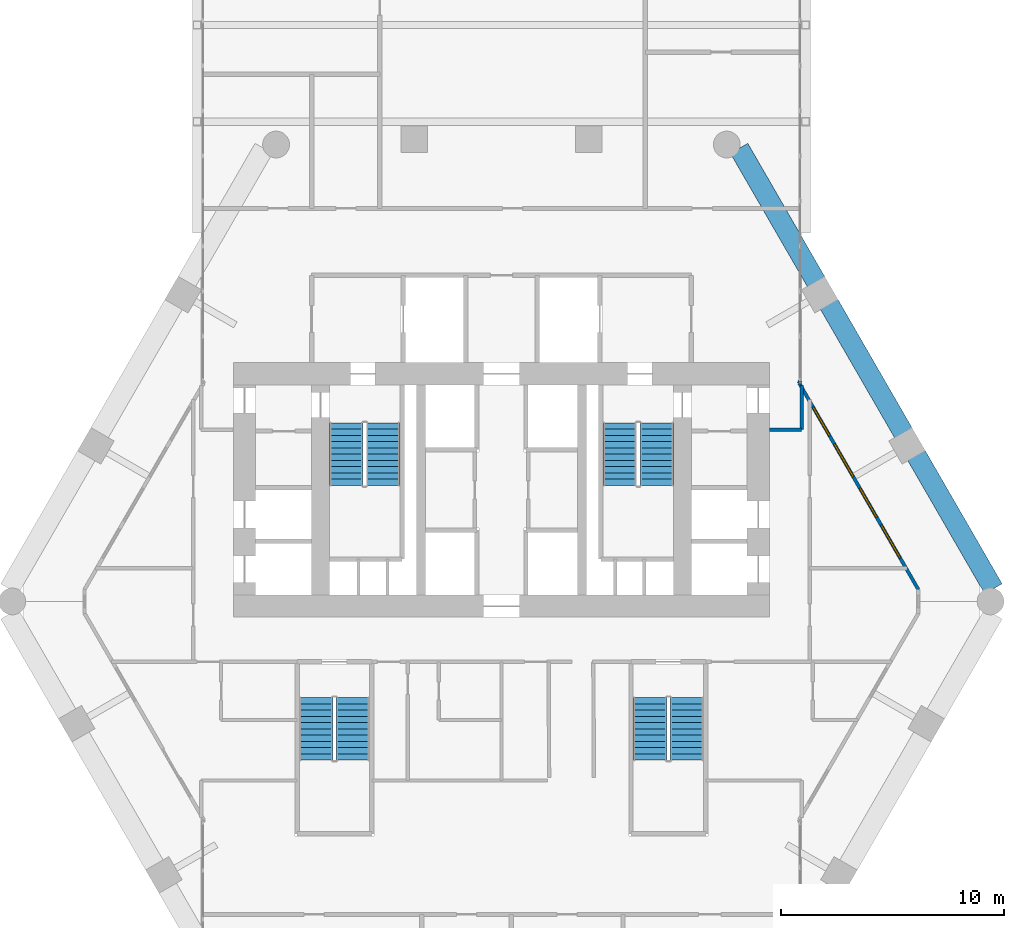
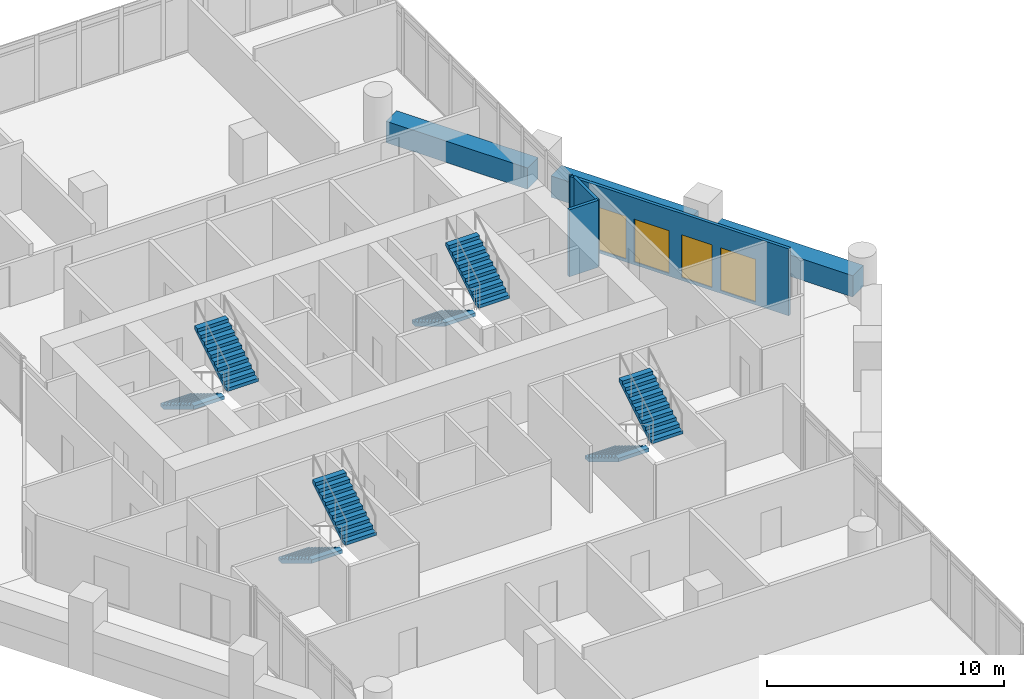
# One storey, part 34 of 37: 8 stair flights, 7 walls, 4 windows, 4 openings, 4 elements without a shape of their own.
"""IFC4 building model written with IfcOpenShell, lengths in metres."""

from ifc_helpers import new_model, si_unit, direction, frame, frame_2d, origin, place, context, subcontext, project, spatial, polyline, rectangle, outline, extrude, material, layer, layer_set, type_object, element, fill, aggregate, save


model = new_model("IFC4")

# Units and contexts
model_context = context("Model", 3, precision=1e-05, world=origin(), true_north=direction((0.0, 1.0)))
body_context = subcontext(model_context, "Body", "Model", "MODEL_VIEW")
ifc_project = project(units=[si_unit("LENGTHUNIT", "METRE"), si_unit("AREAUNIT", "SQUARE_METRE"), si_unit("VOLUMEUNIT", "CUBIC_METRE"), si_unit("PLANEANGLEUNIT", "RADIAN"), si_unit("MASSUNIT", "GRAM", prefix="KILO")], contexts=[model_context])

# Site, building, storey
site_placement = place(None, origin())
site = spatial("IfcSite", under=ifc_project, at=site_placement, CompositionType="ELEMENT")
building_placement = place(site_placement, origin())
building = spatial("IfcBuilding", under=site, at=building_placement, Name="Ostrander Bayou Hotel Tower", CompositionType="ELEMENT")
storey_placement = place(building_placement, frame((0.0, 0.0, 131.0)))
storey = spatial("IfcBuildingStorey", under=building, at=storey_placement, Name="L32", CompositionType="ELEMENT", Elevation=131.0)

# Wall, openings, windows
ifc_material_1 = material(Name="Aluminium framed insulated wall", Category="aluminium")
ifc_layer_1 = layer(ifc_material_1, 0.14990234375)
ifc_layer_set_1 = layer_set([ifc_layer_1], Name="GW1 glass-line wall 150 mm")
wall_type_1 = type_object("IfcWallType", Name="GW1 glass-line wall 150 mm", PredefinedType="SOLIDWALL", material=ifc_layer_set_1)
wall_1_placement = place(storey_placement, frame((18.66259765625, -0.460205078125, 0.0), z_axis=(0.0, 0.0, 1.0), x_axis=(-0.499997430087, 0.866026887519, 0.0)))
wall_1 = element("IfcWall", 1, at=wall_1_placement, inside=storey, type_object=wall_type_1, Name="GW1 L32 NE 1", PredefinedType="SOLIDWALL", context=body_context, shape_type="SweptSolid", body=[
    extrude(rectangle(XDim=10.6572265625, YDim=0.14990234375, at=frame_2d((5.32861328125, 0.0))), origin(), (0.0, 0.0, 1.0), 3.449951171875),
])
opening_1_placement = place(wall_1_placement, frame((1.6298828125, 0.0, 0.14990234375)))
opening_1 = element("IfcOpeningElement", 2, at=opening_1_placement, cuts=wall_1, Name="Opening W8", PredefinedType="OPENING", context=body_context, shape_type="SweptSolid", body=[
    extrude(rectangle(XDim=1.699951171875, YDim=2.199951171875, at=frame_2d((0.85009765625, 1.10009765625))), frame((0.0, 0.074951171875, 0.0), z_axis=(0.0, -1.0, 0.0), x_axis=(1.0, 0.0, 0.0)), (0.0, 0.0, 1.0), 0.14990234375),
])
opening_2_placement = place(wall_1_placement, frame((3.72998046875, 0.0, 0.14990234375)))
opening_2 = element("IfcOpeningElement", 3, at=opening_2_placement, cuts=wall_1, Name="Opening W12", PredefinedType="OPENING", context=body_context, shape_type="SweptSolid", body=[
    extrude(rectangle(XDim=1.5, YDim=2.199951171875, at=frame_2d((0.75, 1.10009765625))), frame((0.0, 0.074951171875, 0.0), z_axis=(0.0, -1.0, 0.0), x_axis=(1.0, 0.0, 0.0)), (0.0, 0.0, 1.0), 0.14990234375),
])
opening_3_placement = place(wall_1_placement, frame((5.830078125, 0.0, 0.14990234375)))
opening_3 = element("IfcOpeningElement", 4, at=opening_3_placement, cuts=wall_1, Name="Opening W8", PredefinedType="OPENING", context=body_context, shape_type="SweptSolid", body=[
    extrude(rectangle(XDim=1.699951171875, YDim=2.199951171875, at=frame_2d((0.85009765625, 1.10009765625))), frame((0.0, 0.074951171875, 0.0), z_axis=(0.0, -1.0, 0.0), x_axis=(1.0, 0.0, 0.0)), (0.0, 0.0, 1.0), 0.14990234375),
])
opening_4_placement = place(wall_1_placement, frame((7.929931640625, 0.0, 0.14990234375)))
opening_4 = element("IfcOpeningElement", 5, at=opening_4_placement, cuts=wall_1, Name="Opening W12", PredefinedType="OPENING", context=body_context, shape_type="SweptSolid", body=[
    extrude(rectangle(XDim=1.5, YDim=2.199951171875, at=frame_2d((0.75, 1.10009765625))), frame((0.0, 0.074951171875, 0.0), z_axis=(0.0, -1.0, 0.0), x_axis=(1.0, 0.0, 0.0)), (0.0, 0.0, 1.0), 0.14990234375),
])
ifc_material_2 = material(Name="Aluminium and clear glass", Category="aluminium")
window_type_1 = type_object("IfcWindowType", Name="W12 fixed window 1500 mm, bath bay, zone 2", PartitioningType="SINGLE_PANEL", PredefinedType="WINDOW", material=ifc_material_2)
window_1_placement = place(opening_2_placement, origin())
window_1 = element("IfcWindow", 6, at=window_1_placement, inside=storey, type_object=window_type_1, Name="W12 L32 NE 1", OverallHeight=2.199951171875, OverallWidth=1.5, PartitioningType="SINGLE_PANEL", PredefinedType="WINDOW", context=body_context, shape_type="SweptSolid", body=[
    extrude(rectangle(XDim=1.5, YDim=2.199951171875, at=frame_2d((0.75, 1.10009765625))), frame((0.0, 0.030029296875, 0.0), z_axis=(0.0, -1.0, 0.0), x_axis=(1.0, 0.0, 0.0)), (0.0, 0.0, 1.0), 0.06005859375),
])
fill(opening_2, window_1)
window_2_placement = place(opening_4_placement, origin())
window_2 = element("IfcWindow", 7, at=window_2_placement, inside=storey, type_object=window_type_1, Name="W12 L32 NE 2", OverallHeight=2.199951171875, OverallWidth=1.5, PartitioningType="SINGLE_PANEL", PredefinedType="WINDOW", context=body_context, shape_type="SweptSolid", body=[
    extrude(rectangle(XDim=1.5, YDim=2.199951171875, at=frame_2d((0.75, 1.10009765625))), frame((0.0, 0.030029296875, 0.0), z_axis=(0.0, -1.0, 0.0), x_axis=(1.0, 0.0, 0.0)), (0.0, 0.0, 1.0), 0.06005859375),
])
fill(opening_4, window_2)
ifc_material_3 = material(Name="Aluminium and clear glass", Category="aluminium")
window_type_2 = type_object("IfcWindowType", Name="W8 fixed window 1700 mm, bar storeys, zone 2", PartitioningType="SINGLE_PANEL", PredefinedType="WINDOW", material=ifc_material_3)
window_3_placement = place(opening_1_placement, origin())
window_3 = element("IfcWindow", 8, at=window_3_placement, inside=storey, type_object=window_type_2, Name="W8 L32 NE 1", OverallHeight=2.199951171875, OverallWidth=1.699951171875, PartitioningType="SINGLE_PANEL", PredefinedType="WINDOW", context=body_context, shape_type="SweptSolid", body=[
    extrude(rectangle(XDim=1.699951171875, YDim=2.199951171875, at=frame_2d((0.85009765625, 1.10009765625))), frame((0.0, 0.030029296875, 0.0), z_axis=(0.0, -1.0, 0.0), x_axis=(1.0, 0.0, 0.0)), (0.0, 0.0, 1.0), 0.06005859375),
])
fill(opening_1, window_3)
window_4_placement = place(opening_3_placement, origin())
window_4 = element("IfcWindow", 9, at=window_4_placement, inside=storey, type_object=window_type_2, Name="W8 L32 NE 2", OverallHeight=2.199951171875, OverallWidth=1.699951171875, PartitioningType="SINGLE_PANEL", PredefinedType="WINDOW", context=body_context, shape_type="SweptSolid", body=[
    extrude(rectangle(XDim=1.699951171875, YDim=2.199951171875, at=frame_2d((0.85009765625, 1.10009765625))), frame((0.0, 0.030029296875, 0.0), z_axis=(0.0, -1.0, 0.0), x_axis=(1.0, 0.0, 0.0)), (0.0, 0.0, 1.0), 0.06005859375),
])
fill(opening_3, window_4)

# Walls
wall_2_placement = place(storey_placement, frame((13.333984375, 8.769287109375, 0.0), z_axis=(0.0, 0.0, 1.0), x_axis=(0.337751931921, 0.941235163221, 0.0)))
element("IfcWall", 10, at=wall_2_placement, inside=storey, type_object=wall_type_1, Name="GW1 L32 bar joint 4", PredefinedType="SOLIDWALL", context=body_context, shape_type="SweptSolid", body=[
    extrude(rectangle(XDim=0.098388671875, YDim=0.14990234375, at=frame_2d((0.04931640625, 0.0))), origin(), (0.0, 0.0, 1.0), 3.449951171875),
])
ifc_material_4 = material(Name="Concrete f'c 40 MPa", Category="concrete")
ifc_layer_2 = layer(ifc_material_4, 0.89990234375)
ifc_layer_set_2 = layer_set([ifc_layer_2], Name="PA1 stone-faced parapet 900 mm")
wall_type_2 = type_object("IfcWallType", Name="PA1 stone-faced parapet 900 mm", PredefinedType="PARAPET", material=ifc_layer_set_2)
wall_3_placement = place(storey_placement, frame((22.022216796875, -0.42919921875, 0.0), z_axis=(0.0, 0.0, 1.0), x_axis=(-0.500017246033, 0.866015446554, 0.0)))
element("IfcWall", 11, at=wall_3_placement, inside=storey, type_object=wall_type_2, Name="PA1 L32 NE-1", PredefinedType="PARAPET", context=body_context, shape_type="SweptSolid", body=[
    extrude(rectangle(XDim=6.906005859375, YDim=0.89990234375, at=frame_2d((3.453125, 0.0))), origin(), (0.0, 0.0, 1.0), 1.10009765625),
])
wall_4_placement = place(storey_placement, frame((17.999267578125, 6.538818359375, 0.0), z_axis=(0.0, 0.0, 1.0), x_axis=(-0.50001062018, 0.866019272134, 0.0)))
element("IfcWall", 12, at=wall_4_placement, inside=storey, type_object=wall_type_2, Name="PA1 L32 NE-2", PredefinedType="PARAPET", context=body_context, shape_type="SweptSolid", body=[
    extrude(rectangle(XDim=6.673583984375, YDim=0.89990234375, at=frame_2d((3.3369140625, 0.0))), origin(), (0.0, 0.0, 1.0), 1.10009765625),
])
wall_5_placement = place(storey_placement, frame((14.09228515625, 13.3056640625, 0.0), z_axis=(0.0, 0.0, 1.0), x_axis=(-0.499990732016, 0.866030754592, 0.0)))
element("IfcWall", 13, at=wall_5_placement, inside=storey, type_object=wall_type_2, Name="PA1 L32 NE-3", PredefinedType="PARAPET", context=body_context, shape_type="SweptSolid", body=[
    extrude(rectangle(XDim=6.906005859375, YDim=0.89990234375, at=frame_2d((3.453125, 0.0))), origin(), (0.0, 0.0, 1.0), 1.10009765625),
])
ifc_material_5 = material(Name="Gypsum board partition", Category="finish")
ifc_layer_3 = layer(ifc_material_5, 0.14990234375)
ifc_layer_set_3 = layer_set([ifc_layer_3], Name="PT8 service band wall 150 mm, 1 hour")
wall_type_3 = type_object("IfcWallType", Name="PT8 service band wall 150 mm, 1 hour", PredefinedType="PARTITIONING", material=ifc_layer_set_3)
wall_6_placement = place(storey_placement, frame((12.010009765625, 6.695068359375, 0.0), z_axis=(0.0, 0.0, 1.0), x_axis=(1.0, 0.0, 0.0)))
element("IfcWall", 14, at=wall_6_placement, inside=storey, type_object=wall_type_3, Name="gw:L32:014", PredefinedType="PARTITIONING", context=body_context, shape_type="SweptSolid", body=[
    extrude(rectangle(XDim=1.429931640625, YDim=0.14990234375, at=frame_2d((0.71484375, 0.0))), origin(), (0.0, 0.0, 1.0), 3.449951171875),
])
wall_7_placement = place(storey_placement, frame((13.43994140625, 6.695068359375, 0.0), z_axis=(0.0, 0.0, 1.0), x_axis=(0.0, 1.0, 0.0)))
element("IfcWall", 15, at=wall_7_placement, inside=storey, type_object=wall_type_3, Name="gw:L32:018", PredefinedType="PARTITIONING", context=body_context, shape_type="SweptSolid", body=[
    extrude(rectangle(XDim=1.98095703125, YDim=0.14990234375, at=frame_2d((0.990478515625, 0.0))), origin(), (0.0, 0.0, 1.0), 3.449951171875),
])

# Stair, stair flights
ifc_material_6 = material(Name="Concrete f'c 45 MPa", Category="concrete")
stair_type = type_object("IfcStairType", Name="ST1 exit stair 1500 mm f'c 45 MPa", PredefinedType="HALF_TURN_STAIR", material=ifc_material_6)
stair_1_placement = place(storey_placement, origin())
stair_1 = element("IfcStair", 16, at=stair_1_placement, inside=storey, type_object=stair_type, Name="L32 exit stair A", PredefinedType="HALF_TURN_STAIR")
ifc_material_7 = material(Name="Concrete f'c 45 MPa", Category="concrete")
stair_flight_type = type_object("IfcStairFlightType", Name="SF1 stair flight 1500 mm f'c 45 MPa", PredefinedType="STRAIGHT", material=ifc_material_7)
stair_flight_1_placement = place(storey_placement, frame((-6.949951171875, 7.0, 0.0), z_axis=(0.0, 0.0, 1.0), x_axis=(0.0, -1.0, 0.0)))
stair_flight_1 = element("IfcStairFlight", 17, at=stair_flight_1_placement, type_object=stair_flight_type, Name="STA flight 1", NumberOfRisers=11, NumberOfTreads=10, PredefinedType="STRAIGHT", RiserHeight=0.170454545, TreadLength=0.28, context=body_context, shape_type="SweptSolid", body=[
    extrude(outline(polyline([(0.0, 0.0), (0.0, 0.17041015625), (0.280029296875, 0.17041015625), (0.280029296875, 0.3408203125), (0.56005859375, 0.3408203125), (0.56005859375, 0.511474609375), (0.840087890625, 0.511474609375), (0.840087890625, 0.681884765625), (1.1201171875, 0.681884765625), (1.1201171875, 0.852294921875), (1.39990234375, 0.852294921875), (1.39990234375, 1.022705078125), (1.679931640625, 1.022705078125), (1.679931640625, 1.193115234375), (1.9599609375, 1.193115234375), (1.9599609375, 1.363525390625), (2.239990234375, 1.363525390625), (2.239990234375, 1.5341796875), (2.52001953125, 1.5341796875), (2.52001953125, 1.70458984375), (2.800048828125, 1.70458984375), (2.800048828125, 1.875), (2.800048828125, 1.529052734375), (0.288330078125, 0.0), (0.0, 0.0)])), frame((0.0, 0.75, 0.0), z_axis=(0.0, -1.0, 0.0), x_axis=(1.0, 0.0, 0.0)), (0.0, 0.0, 1.0), 1.5),
])
stair_flight_2_placement = place(storey_placement, frame((-5.300048828125, 4.199951171875, 1.875), z_axis=(0.0, 0.0, 1.0), x_axis=(0.0, 1.0, 0.0)))
stair_flight_2 = element("IfcStairFlight", 18, at=stair_flight_2_placement, type_object=stair_flight_type, Name="STA flight 2", NumberOfRisers=11, NumberOfTreads=10, PredefinedType="STRAIGHT", RiserHeight=0.170454545, TreadLength=0.28, context=body_context, shape_type="SweptSolid", body=[
    extrude(outline(polyline([(0.0, 0.0), (0.0, 0.17041015625), (0.280029296875, 0.17041015625), (0.280029296875, 0.3408203125), (0.56005859375, 0.3408203125), (0.56005859375, 0.511474609375), (0.840087890625, 0.511474609375), (0.840087890625, 0.681884765625), (1.1201171875, 0.681884765625), (1.1201171875, 0.852294921875), (1.39990234375, 0.852294921875), (1.39990234375, 1.022705078125), (1.679931640625, 1.022705078125), (1.679931640625, 1.193115234375), (1.9599609375, 1.193115234375), (1.9599609375, 1.363525390625), (2.239990234375, 1.363525390625), (2.239990234375, 1.5341796875), (2.52001953125, 1.5341796875), (2.52001953125, 1.70458984375), (2.800048828125, 1.70458984375), (2.800048828125, 1.875), (2.800048828125, 1.529052734375), (0.288330078125, 0.0), (0.0, 0.0)])), frame((0.0, 0.75, 0.0), z_axis=(0.0, -1.0, 0.0), x_axis=(1.0, 0.0, 0.0)), (0.0, 0.0, 1.0), 1.5),
])
aggregate(stair_1, [stair_flight_1, stair_flight_2])

stair_2_placement = place(storey_placement, origin())
stair_2 = element("IfcStair", 19, at=stair_2_placement, inside=storey, type_object=stair_type, Name="L32 exit stair B", PredefinedType="HALF_TURN_STAIR")
stair_flight_3_placement = place(storey_placement, frame((5.300048828125, 7.0, 0.0), z_axis=(0.0, 0.0, 1.0), x_axis=(0.0, -1.0, 0.0)))
stair_flight_3 = element("IfcStairFlight", 20, at=stair_flight_3_placement, type_object=stair_flight_type, Name="STB flight 1", NumberOfRisers=11, NumberOfTreads=10, PredefinedType="STRAIGHT", RiserHeight=0.170454545, TreadLength=0.28, context=body_context, shape_type="SweptSolid", body=[
    extrude(outline(polyline([(0.0, 0.0), (0.0, 0.17041015625), (0.280029296875, 0.17041015625), (0.280029296875, 0.3408203125), (0.56005859375, 0.3408203125), (0.56005859375, 0.511474609375), (0.840087890625, 0.511474609375), (0.840087890625, 0.681884765625), (1.1201171875, 0.681884765625), (1.1201171875, 0.852294921875), (1.39990234375, 0.852294921875), (1.39990234375, 1.022705078125), (1.679931640625, 1.022705078125), (1.679931640625, 1.193115234375), (1.9599609375, 1.193115234375), (1.9599609375, 1.363525390625), (2.239990234375, 1.363525390625), (2.239990234375, 1.5341796875), (2.52001953125, 1.5341796875), (2.52001953125, 1.70458984375), (2.800048828125, 1.70458984375), (2.800048828125, 1.875), (2.800048828125, 1.529052734375), (0.288330078125, 0.0), (0.0, 0.0)])), frame((0.0, 0.75, 0.0), z_axis=(0.0, -1.0, 0.0), x_axis=(1.0, 0.0, 0.0)), (0.0, 0.0, 1.0), 1.5),
])
stair_flight_4_placement = place(storey_placement, frame((6.949951171875, 4.199951171875, 1.875), z_axis=(0.0, 0.0, 1.0), x_axis=(0.0, 1.0, 0.0)))
stair_flight_4 = element("IfcStairFlight", 21, at=stair_flight_4_placement, type_object=stair_flight_type, Name="STB flight 2", NumberOfRisers=11, NumberOfTreads=10, PredefinedType="STRAIGHT", RiserHeight=0.170454545, TreadLength=0.28, context=body_context, shape_type="SweptSolid", body=[
    extrude(outline(polyline([(0.0, 0.0), (0.0, 0.17041015625), (0.280029296875, 0.17041015625), (0.280029296875, 0.3408203125), (0.56005859375, 0.3408203125), (0.56005859375, 0.511474609375), (0.840087890625, 0.511474609375), (0.840087890625, 0.681884765625), (1.1201171875, 0.681884765625), (1.1201171875, 0.852294921875), (1.39990234375, 0.852294921875), (1.39990234375, 1.022705078125), (1.679931640625, 1.022705078125), (1.679931640625, 1.193115234375), (1.9599609375, 1.193115234375), (1.9599609375, 1.363525390625), (2.239990234375, 1.363525390625), (2.239990234375, 1.5341796875), (2.52001953125, 1.5341796875), (2.52001953125, 1.70458984375), (2.800048828125, 1.70458984375), (2.800048828125, 1.875), (2.800048828125, 1.529052734375), (0.288330078125, 0.0), (0.0, 0.0)])), frame((0.0, 0.75, 0.0), z_axis=(0.0, -1.0, 0.0), x_axis=(1.0, 0.0, 0.0)), (0.0, 0.0, 1.0), 1.5),
])
aggregate(stair_2, [stair_flight_3, stair_flight_4])

stair_3_placement = place(storey_placement, origin())
stair_3 = element("IfcStair", 22, at=stair_3_placement, inside=storey, type_object=stair_type, Name="L32 exit stair C", PredefinedType="HALF_TURN_STAIR")
stair_flight_5_placement = place(storey_placement, frame((6.64990234375, -5.300048828125, 0.0), z_axis=(0.0, 0.0, 1.0), x_axis=(0.0, -1.0, 0.0)))
stair_flight_5 = element("IfcStairFlight", 23, at=stair_flight_5_placement, type_object=stair_flight_type, Name="STC flight 1", NumberOfRisers=11, NumberOfTreads=10, PredefinedType="STRAIGHT", RiserHeight=0.170454545, TreadLength=0.28, context=body_context, shape_type="SweptSolid", body=[
    extrude(outline(polyline([(0.0, 0.0), (0.0, 0.17041015625), (0.280029296875, 0.17041015625), (0.280029296875, 0.3408203125), (0.56005859375, 0.3408203125), (0.56005859375, 0.511474609375), (0.840087890625, 0.511474609375), (0.840087890625, 0.681884765625), (1.1201171875, 0.681884765625), (1.1201171875, 0.852294921875), (1.39990234375, 0.852294921875), (1.39990234375, 1.022705078125), (1.679931640625, 1.022705078125), (1.679931640625, 1.193115234375), (1.9599609375, 1.193115234375), (1.9599609375, 1.363525390625), (2.239990234375, 1.363525390625), (2.239990234375, 1.5341796875), (2.52001953125, 1.5341796875), (2.52001953125, 1.70458984375), (2.800048828125, 1.70458984375), (2.800048828125, 1.875), (2.800048828125, 1.529052734375), (0.288330078125, 0.0), (0.0, 0.0)])), frame((0.0, 0.75, 0.0), z_axis=(0.0, -1.0, 0.0), x_axis=(1.0, 0.0, 0.0)), (0.0, 0.0, 1.0), 1.5),
])
stair_flight_6_placement = place(storey_placement, frame((8.300048828125, -8.10009765625, 1.875), z_axis=(0.0, 0.0, 1.0), x_axis=(0.0, 1.0, 0.0)))
stair_flight_6 = element("IfcStairFlight", 24, at=stair_flight_6_placement, type_object=stair_flight_type, Name="STC flight 2", NumberOfRisers=11, NumberOfTreads=10, PredefinedType="STRAIGHT", RiserHeight=0.170454545, TreadLength=0.28, context=body_context, shape_type="SweptSolid", body=[
    extrude(outline(polyline([(0.0, 0.0), (0.0, 0.17041015625), (0.280029296875, 0.17041015625), (0.280029296875, 0.3408203125), (0.56005859375, 0.3408203125), (0.56005859375, 0.511474609375), (0.840087890625, 0.511474609375), (0.840087890625, 0.681884765625), (1.1201171875, 0.681884765625), (1.1201171875, 0.852294921875), (1.39990234375, 0.852294921875), (1.39990234375, 1.022705078125), (1.679931640625, 1.022705078125), (1.679931640625, 1.193115234375), (1.9599609375, 1.193115234375), (1.9599609375, 1.363525390625), (2.239990234375, 1.363525390625), (2.239990234375, 1.5341796875), (2.52001953125, 1.5341796875), (2.52001953125, 1.70458984375), (2.800048828125, 1.70458984375), (2.800048828125, 1.875), (2.800048828125, 1.529052734375), (0.288330078125, 0.0), (0.0, 0.0)])), frame((0.0, 0.75, 0.0), z_axis=(0.0, -1.0, 0.0), x_axis=(1.0, 0.0, 0.0)), (0.0, 0.0, 1.0), 1.5),
])
aggregate(stair_3, [stair_flight_5, stair_flight_6])

stair_4_placement = place(storey_placement, origin())
stair_4 = element("IfcStair", 25, at=stair_4_placement, inside=storey, type_object=stair_type, Name="L32 exit stair D", PredefinedType="HALF_TURN_STAIR")
stair_flight_7_placement = place(storey_placement, frame((-8.300048828125, -5.300048828125, 0.0), z_axis=(0.0, 0.0, 1.0), x_axis=(0.0, -1.0, 0.0)))
stair_flight_7 = element("IfcStairFlight", 26, at=stair_flight_7_placement, type_object=stair_flight_type, Name="STD flight 1", NumberOfRisers=11, NumberOfTreads=10, PredefinedType="STRAIGHT", RiserHeight=0.170454545, TreadLength=0.28, context=body_context, shape_type="SweptSolid", body=[
    extrude(outline(polyline([(0.0, 0.0), (0.0, 0.17041015625), (0.280029296875, 0.17041015625), (0.280029296875, 0.3408203125), (0.56005859375, 0.3408203125), (0.56005859375, 0.511474609375), (0.840087890625, 0.511474609375), (0.840087890625, 0.681884765625), (1.1201171875, 0.681884765625), (1.1201171875, 0.852294921875), (1.39990234375, 0.852294921875), (1.39990234375, 1.022705078125), (1.679931640625, 1.022705078125), (1.679931640625, 1.193115234375), (1.9599609375, 1.193115234375), (1.9599609375, 1.363525390625), (2.239990234375, 1.363525390625), (2.239990234375, 1.5341796875), (2.52001953125, 1.5341796875), (2.52001953125, 1.70458984375), (2.800048828125, 1.70458984375), (2.800048828125, 1.875), (2.800048828125, 1.529052734375), (0.288330078125, 0.0), (0.0, 0.0)])), frame((0.0, 0.75, 0.0), z_axis=(0.0, -1.0, 0.0), x_axis=(1.0, 0.0, 0.0)), (0.0, 0.0, 1.0), 1.5),
])
stair_flight_8_placement = place(storey_placement, frame((-6.64990234375, -8.10009765625, 1.875), z_axis=(0.0, 0.0, 1.0), x_axis=(0.0, 1.0, 0.0)))
stair_flight_8 = element("IfcStairFlight", 27, at=stair_flight_8_placement, type_object=stair_flight_type, Name="STD flight 2", NumberOfRisers=11, NumberOfTreads=10, PredefinedType="STRAIGHT", RiserHeight=0.170454545, TreadLength=0.28, context=body_context, shape_type="SweptSolid", body=[
    extrude(outline(polyline([(0.0, 0.0), (0.0, 0.17041015625), (0.280029296875, 0.17041015625), (0.280029296875, 0.3408203125), (0.56005859375, 0.3408203125), (0.56005859375, 0.511474609375), (0.840087890625, 0.511474609375), (0.840087890625, 0.681884765625), (1.1201171875, 0.681884765625), (1.1201171875, 0.852294921875), (1.39990234375, 0.852294921875), (1.39990234375, 1.022705078125), (1.679931640625, 1.022705078125), (1.679931640625, 1.193115234375), (1.9599609375, 1.193115234375), (1.9599609375, 1.363525390625), (2.239990234375, 1.363525390625), (2.239990234375, 1.5341796875), (2.52001953125, 1.5341796875), (2.52001953125, 1.70458984375), (2.800048828125, 1.70458984375), (2.800048828125, 1.875), (2.800048828125, 1.529052734375), (0.288330078125, 0.0), (0.0, 0.0)])), frame((0.0, 0.75, 0.0), z_axis=(0.0, -1.0, 0.0), x_axis=(1.0, 0.0, 0.0)), (0.0, 0.0, 1.0), 1.5),
])
aggregate(stair_4, [stair_flight_7, stair_flight_8])

save(model, "model.ifc")
